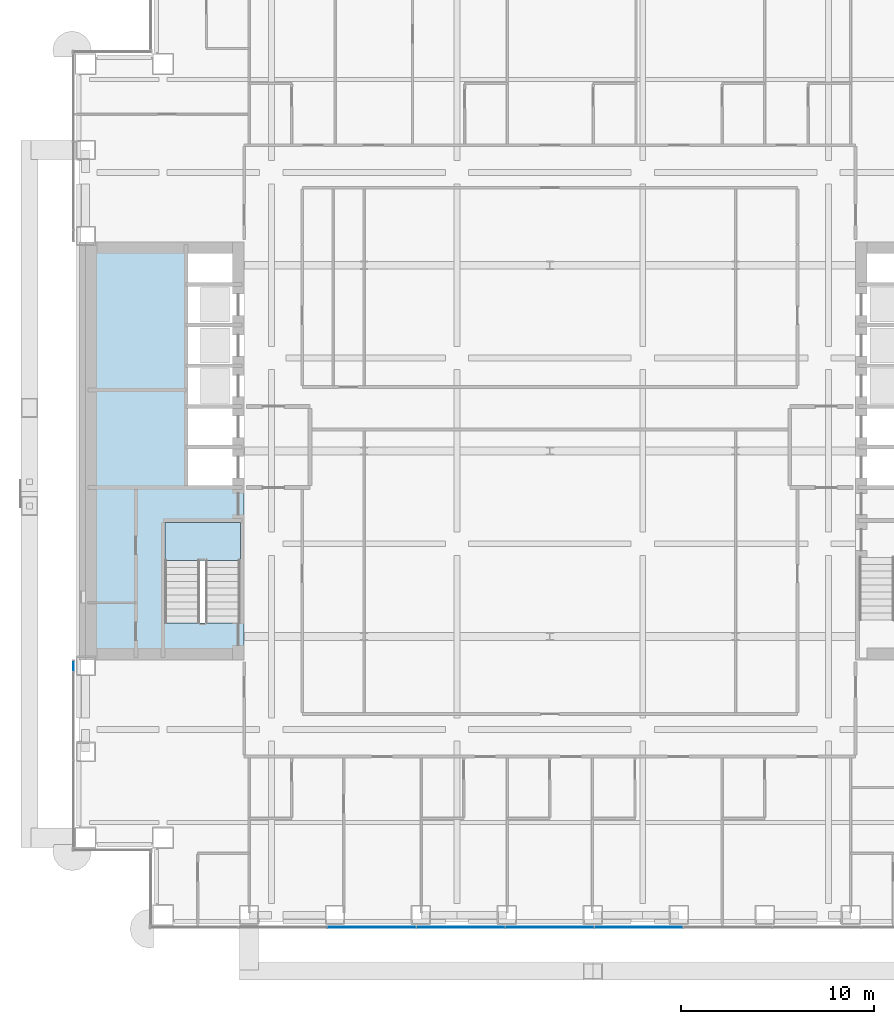
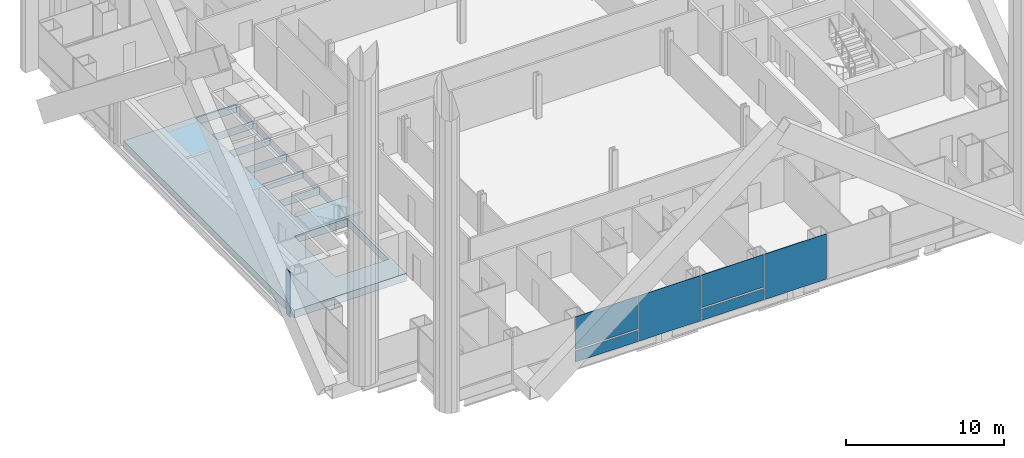
# One storey, part 14 of 28: 7 plates, 2 slabs, 3 elements without a shape of their own.
"""IFC4 building model written with IfcOpenShell, lengths in metres."""

from ifc_helpers import new_model, si_unit, direction, frame, origin, origin_2d, place, context, subcontext, project, spatial, polyline, rectangle, outline, extrude, material, layer, layer_set, type_object, element, aggregate, save


model = new_model("IFC4")

# Units and contexts
model_context = context("Model", 3, precision=1e-05, world=origin(), true_north=direction((0.0, 1.0)))
body_context = subcontext(model_context, "Body", "Model", "MODEL_VIEW")
ifc_project = project(units=[si_unit("LENGTHUNIT", "METRE"), si_unit("AREAUNIT", "SQUARE_METRE"), si_unit("VOLUMEUNIT", "CUBIC_METRE"), si_unit("PLANEANGLEUNIT", "RADIAN"), si_unit("MASSUNIT", "GRAM", prefix="KILO")], contexts=[model_context])

# Site, building, storey
site_placement = place(None, origin())
site = spatial("IfcSite", under=ifc_project, at=site_placement, CompositionType="ELEMENT")
building_placement = place(site_placement, origin())
building = spatial("IfcBuilding", under=site, at=building_placement, Name="Cobrizo Arcos Hotel Tower", CompositionType="ELEMENT")
storey_placement = place(building_placement, frame((0.0, 0.0, 39.0)))
storey = spatial("IfcBuildingStorey", under=building, at=storey_placement, Name="L07", CompositionType="ELEMENT", Elevation=39.0)

# Curtain wall, plates
ifc_material_1 = material(Name="Aluminium 6063-T6 anodised bronze", Category="aluminium")
curtain_wall_type = type_object("IfcCurtainWallType", Name="CW-A guest facade", PredefinedType="NOTDEFINED", material=ifc_material_1)
curtain_wall_1_placement = place(storey_placement, origin())
curtain_wall_1 = element("IfcCurtainWall", 1, at=curtain_wall_1_placement, inside=storey, type_object=curtain_wall_type, Name="CW-A L07 S face", PredefinedType="NOTDEFINED")
ifc_material_2 = material(Name="Glass clear laminated low-e", Category="glass")
ifc_layer_1 = layer(ifc_material_2, 0.0400390625)
ifc_layer_set_1 = layer_set([ifc_layer_1], Name="CW-A glass panel")
plate_type_1 = type_object("IfcPlateType", Name="CW-A glass panel", PredefinedType="CURTAIN_PANEL", material=ifc_layer_set_1)
plate_1_placement = place(storey_placement, frame((-9.199951171875, -24.625, 0.990234375), z_axis=(0.0, 0.0, 1.0), x_axis=(1.0, 0.0, 0.0)))
plate_1 = element("IfcPlate", 2, at=plate_1_placement, type_object=plate_type_1, Name="CW-A glass panel 363", PredefinedType="CURTAIN_PANEL", context=body_context, shape_type="SweptSolid", body=[
    extrude(rectangle(XDim=4.5400390625, YDim=0.0400390625, at=origin_2d()), origin(), (0.0, 0.0, 1.0), 2.510009765625),
])
plate_2_placement = place(storey_placement, frame((0.0, -24.625, 0.990234375), z_axis=(0.0, 0.0, 1.0), x_axis=(1.0, 0.0, 0.0)))
plate_2 = element("IfcPlate", 3, at=plate_2_placement, type_object=plate_type_1, Name="CW-A glass panel 365", PredefinedType="CURTAIN_PANEL", context=body_context, shape_type="SweptSolid", body=[
    extrude(rectangle(XDim=4.5400390625, YDim=0.0400390625, at=origin_2d()), origin(), (0.0, 0.0, 1.0), 2.510009765625),
])
ifc_material_3 = material(Name="Aluminium composite panel pale metal", Category="aluminium")
ifc_layer_2 = layer(ifc_material_3, 0.0400390625)
ifc_layer_set_2 = layer_set([ifc_layer_2], Name="CW-A spandrel panel")
plate_type_2 = type_object("IfcPlateType", Name="CW-A spandrel panel", PredefinedType="CURTAIN_PANEL", material=ifc_layer_set_2)
plate_3_placement = place(storey_placement, frame((-9.199951171875, -24.625, 0.0), z_axis=(0.0, 0.0, 1.0), x_axis=(1.0, 0.0, 0.0)))
plate_3 = element("IfcPlate", 4, at=plate_3_placement, type_object=plate_type_2, Name="CW-A spandrel panel 363", PredefinedType="CURTAIN_PANEL", context=body_context, shape_type="SweptSolid", body=[
    extrude(rectangle(XDim=4.5400390625, YDim=0.0400390625, at=origin_2d()), origin(), (0.0, 0.0, 1.0), 0.8701171875),
])
plate_4_placement = place(storey_placement, frame((-4.60009765625, -24.625, 0.0), z_axis=(0.0, 0.0, 1.0), x_axis=(1.0, 0.0, 0.0)))
plate_4 = element("IfcPlate", 5, at=plate_4_placement, type_object=plate_type_2, Name="CW-A spandrel panel 364", PredefinedType="CURTAIN_PANEL", context=body_context, shape_type="SweptSolid", body=[
    extrude(rectangle(XDim=4.5400390625, YDim=0.0400390625, at=origin_2d()), origin(), (0.0, 0.0, 1.0), 3.5),
])
plate_5_placement = place(storey_placement, frame((0.0, -24.625, 0.0), z_axis=(0.0, 0.0, 1.0), x_axis=(1.0, 0.0, 0.0)))
plate_5 = element("IfcPlate", 6, at=plate_5_placement, type_object=plate_type_2, Name="CW-A spandrel panel 365", PredefinedType="CURTAIN_PANEL", context=body_context, shape_type="SweptSolid", body=[
    extrude(rectangle(XDim=4.5400390625, YDim=0.0400390625, at=origin_2d()), origin(), (0.0, 0.0, 1.0), 0.8701171875),
])
plate_6_placement = place(storey_placement, frame((4.60009765625, -24.625, 0.0), z_axis=(0.0, 0.0, 1.0), x_axis=(1.0, 0.0, 0.0)))
plate_6 = element("IfcPlate", 7, at=plate_6_placement, type_object=plate_type_2, Name="CW-A spandrel panel 366", PredefinedType="CURTAIN_PANEL", context=body_context, shape_type="SweptSolid", body=[
    extrude(rectangle(XDim=4.5400390625, YDim=0.0400390625, at=origin_2d()), origin(), (0.0, 0.0, 1.0), 3.5),
])
aggregate(curtain_wall_1, [plate_3, plate_1, plate_4, plate_5, plate_2, plate_6])

# Curtain wall, plate
curtain_wall_2_placement = place(storey_placement, origin())
curtain_wall_2 = element("IfcCurtainWall", 8, at=curtain_wall_2_placement, inside=storey, type_object=curtain_wall_type, Name="CW-A L07 W face", PredefinedType="NOTDEFINED")
plate_7_placement = place(storey_placement, frame((-24.625, -11.123291015625, 0.0), z_axis=(0.0, 0.0, 1.0), x_axis=(0.0, -1.0, 0.0)))
plate_7 = element("IfcPlate", 9, at=plate_7_placement, type_object=plate_type_2, Name="CW-A spandrel panel 394", PredefinedType="CURTAIN_PANEL", context=body_context, shape_type="SweptSolid", body=[
    extrude(rectangle(XDim=0.526611328125, YDim=0.0400390625, at=origin_2d()), origin(), (0.0, 0.0, 1.0), 3.5),
])
aggregate(curtain_wall_2, [plate_7])

# Slab
ifc_material_4 = material(Name="Concrete f'c 60 MPa", Category="concrete")
ifc_layer_3 = layer(ifc_material_4, 0.60009765625)
ifc_layer_set_3 = layer_set([ifc_layer_3], Name="RC core floor slab 600 f'c 60")
slab_type_1 = type_object("IfcSlabType", Name="RC core floor slab 600 f'c 60", PredefinedType="FLOOR", material=ifc_layer_set_3)
slab_1_placement = place(storey_placement, frame((0.0, 0.0, -0.60009765625)))
element("IfcSlab", 10, at=slab_1_placement, inside=storey, type_object=slab_type_1, Name="Core floor slab CS1, west core, L07", PredefinedType="FLOOR", context=body_context, shape_type="SweptSolid", body=[
    extrude(outline(polyline([(-24.0, 10.800048828125), (-15.800048828125, 10.800048828125), (-15.800048828125, -10.800048828125), (-24.0, -10.800048828125), (-24.0, 10.800048828125)]), holes=[polyline([(-19.89794921875, -3.701904296875), (-19.89794921875, -8.89794921875), (-16.001953125, -8.89794921875), (-16.001953125, -3.701904296875), (-19.89794921875, -3.701904296875)]), polyline([(-18.798095703125, 0.197998046875), (-18.798095703125, -1.89794921875), (-15.802001953125, -1.89794921875), (-15.802001953125, 0.197998046875), (-18.798095703125, 0.197998046875)]), polyline([(-15.802001953125, 2.298095703125), (-18.798095703125, 2.298095703125), (-18.798095703125, 0.201904296875), (-15.802001953125, 0.201904296875), (-15.802001953125, 2.298095703125)]), polyline([(-15.802001953125, 4.39794921875), (-18.798095703125, 4.39794921875), (-18.798095703125, 2.302001953125), (-15.802001953125, 2.302001953125), (-15.802001953125, 4.39794921875)]), polyline([(-18.798095703125, 6.498046875), (-18.798095703125, 4.402099609375), (-15.802001953125, 4.402099609375), (-15.802001953125, 6.498046875), (-18.798095703125, 6.498046875)]), polyline([(-15.802001953125, 8.597900390625), (-18.798095703125, 8.597900390625), (-18.798095703125, 6.501953125), (-15.802001953125, 6.501953125), (-15.802001953125, 8.597900390625)]), polyline([(-15.802001953125, 10.697998046875), (-18.798095703125, 10.697998046875), (-18.798095703125, 8.60205078125), (-15.802001953125, 8.60205078125), (-15.802001953125, 10.697998046875)])]), origin(), (0.0, 0.0, 1.0), 0.60009765625),
])

# Stair, slab
ifc_material_5 = material(Name="Concrete f'c 40 MPa", Category="concrete")
stair_type = type_object("IfcStairType", Name="Exit stair", PredefinedType="HALF_TURN_STAIR", material=ifc_material_5)
stair_placement = place(storey_placement, origin())
stair = element("IfcStair", 11, at=stair_placement, inside=storey, type_object=stair_type, Name="L07 Exit stair ST-W", PredefinedType="HALF_TURN_STAIR")
ifc_layer_4 = layer(ifc_material_5, 0.199951171875)
ifc_layer_set_4 = layer_set([ifc_layer_4], Name="Stair landing")
slab_type_2 = type_object("IfcSlabType", Name="Stair landing", PredefinedType="LANDING", material=ifc_layer_set_4)
slab_2_placement = place(storey_placement, frame((0.0, 0.0, 1.550048828125)))
slab_2 = element("IfcSlab", 12, at=slab_2_placement, type_object=slab_type_2, Name="ST-W landing 1", PredefinedType="LANDING", context=body_context, shape_type="SweptSolid", body=[
    extrude(outline(polyline([(-16.0, -5.659912109375), (-16.0, -3.699951171875), (-19.89990234375, -3.699951171875), (-19.89990234375, -5.659912109375), (-16.0, -5.659912109375)])), origin(), (0.0, 0.0, 1.0), 0.199951171875),
])
aggregate(stair, [slab_2])

save(model, "model.ifc")
